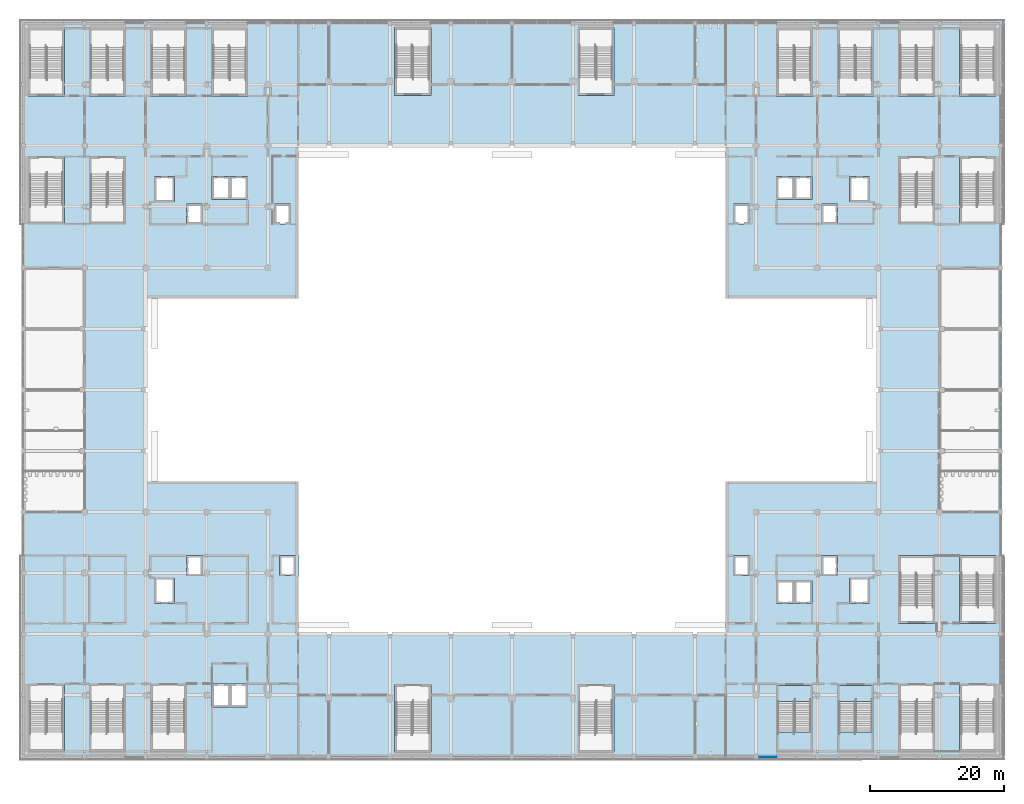
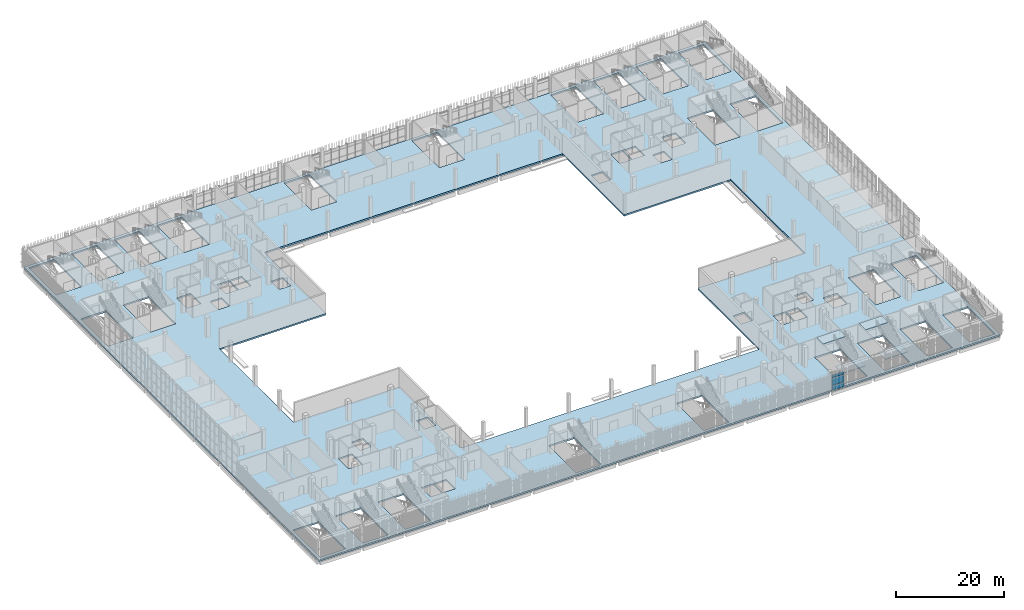
# One storey, part 66 of 126: 5 slabs, 3 plates, 3 elements without a shape of their own.
"""IFC4 building model written with IfcOpenShell, lengths in metres."""

from ifc_helpers import new_model, si_unit, direction, frame, origin, origin_2d, place, context, subcontext, project, spatial, polyline, rectangle, outline, extrude, material, layer, layer_set, type_object, element, aggregate, save


model = new_model("IFC4")

# Units and contexts
model_context = context("Model", 3, precision=1e-05, world=origin(), true_north=direction((0.0, 1.0)))
body_context = subcontext(model_context, "Body", "Model", "MODEL_VIEW")
ifc_project = project(units=[si_unit("LENGTHUNIT", "METRE"), si_unit("AREAUNIT", "SQUARE_METRE"), si_unit("VOLUMEUNIT", "CUBIC_METRE"), si_unit("PLANEANGLEUNIT", "RADIAN"), si_unit("MASSUNIT", "GRAM", prefix="KILO")], contexts=[model_context])

# Site, building, storey
site_placement = place(None, origin())
site = spatial("IfcSite", under=ifc_project, at=site_placement, CompositionType="ELEMENT")
building_placement = place(site_placement, origin())
building = spatial("IfcBuilding", under=site, at=building_placement, Name="Shirokan Park Arena", CompositionType="ELEMENT")
storey_placement = place(building_placement, frame((0.0, 0.0, 6.3701171875)))
storey = spatial("IfcBuildingStorey", under=building, at=storey_placement, Name="L01", CompositionType="ELEMENT", Elevation=6.3701171875)

# Curtain wall, plates
ifc_material_1 = material(Name="Steel and glass curtain wall", Category="steel")
ifc_layer_1 = layer(ifc_material_1, 0.1201171875)
ifc_layer_set_1 = layer_set([ifc_layer_1], Name="Steel and glass curtain wall 120 mm")
curtain_wall_type = type_object("IfcCurtainWallType", Name="Curtain wall corner block side bay 120", PredefinedType="NOTDEFINED", material=ifc_layer_set_1)
curtain_wall_placement = place(storey_placement, origin())
curtain_wall = element("IfcCurtainWall", 1, at=curtain_wall_placement, inside=storey, type_object=curtain_wall_type, Name="Curtain wall south bay 13 L01", PredefinedType="NOTDEFINED")
ifc_material_2 = material(Name="Aluminium sheet", Category="aluminium")
ifc_layer_2 = layer(ifc_material_2, 0.0029296875, Name="Aluminium sheet")
ifc_material_3 = material(Name="Mineral wool insulation")
ifc_layer_3 = layer(ifc_material_3, 0.053955078125, Name="Mineral wool insulation")
ifc_layer_4 = layer(ifc_material_2, 0.0029296875, Name="Aluminium sheet")
ifc_layer_set_2 = layer_set([ifc_layer_2, ifc_layer_3, ifc_layer_4], Name="Aluminium sheet + Mineral wool insulation")
plate_type_1 = type_object("IfcPlateType", Name="Insulated spandrel panel 60", PredefinedType="CURTAIN_PANEL", material=ifc_layer_set_2)
plate_1_placement = place(storey_placement, frame((110.91259765625, -0.090087890625, 2.86962890625), z_axis=(0.0, 0.0, 1.0), x_axis=(1.0, 0.0, 0.0)))
plate_1 = element("IfcPlate", 2, at=plate_1_placement, type_object=plate_type_1, Name="CW3 panel 1.3", PredefinedType="CURTAIN_PANEL", context=body_context, shape_type="SweptSolid", body=[
    extrude(rectangle(XDim=2.574951171875, YDim=0.06005859375, at=origin_2d()), origin(), (0.0, 0.0, 1.0), 0.590087890625),
])
ifc_material_4 = material(Name="Toughened glass", Category="glass")
ifc_layer_5 = layer(ifc_material_4, 0.012939453125, Name="Toughened glass")
ifc_material_5 = material(Name="Interlayer film")
ifc_layer_6 = layer(ifc_material_5, 0.001953125, Name="Interlayer film")
ifc_layer_7 = layer(ifc_material_4, 0.012939453125, Name="Toughened glass")
ifc_layer_set_3 = layer_set([ifc_layer_5, ifc_layer_6, ifc_layer_7], Name="Toughened glass + Interlayer film")
plate_type_2 = type_object("IfcPlateType", Name="Laminated glass panel 28", PredefinedType="CURTAIN_PANEL", material=ifc_layer_set_3)
plate_2_placement = place(storey_placement, frame((110.91259765625, -0.090087890625, 1.119873046875), z_axis=(0.0, 0.0, 1.0), x_axis=(1.0, 0.0, 0.0)))
plate_2 = element("IfcPlate", 3, at=plate_2_placement, type_object=plate_type_2, Name="CW3 panel 1.2", PredefinedType="CURTAIN_PANEL", context=body_context, shape_type="SweptSolid", body=[
    extrude(rectangle(XDim=2.574951171875, YDim=0.028076171875, at=origin_2d()), origin(), (0.0, 0.0, 1.0), 1.7099609375),
])
ifc_layer_8 = layer(ifc_material_4, 0.01708984375, Name="Toughened glass")
ifc_layer_9 = layer(ifc_material_5, 0.001953125, Name="Interlayer film")
ifc_layer_10 = layer(ifc_material_4, 0.01708984375, Name="Toughened glass")
ifc_layer_set_4 = layer_set([ifc_layer_8, ifc_layer_9, ifc_layer_10], Name="Toughened glass + Interlayer film")
plate_type_3 = type_object("IfcPlateType", Name="Laminated safety glass panel 36", PredefinedType="CURTAIN_PANEL", material=ifc_layer_set_4)
plate_3_placement = place(storey_placement, frame((110.91259765625, -0.090087890625, 0.039794921875), z_axis=(0.0, 0.0, 1.0), x_axis=(1.0, 0.0, 0.0)))
plate_3 = element("IfcPlate", 4, at=plate_3_placement, type_object=plate_type_3, Name="CW3 panel 1.1", PredefinedType="CURTAIN_PANEL", context=body_context, shape_type="SweptSolid", body=[
    extrude(rectangle(XDim=2.574951171875, YDim=0.035888671875, at=origin_2d()), origin(), (0.0, 0.0, 1.0), 1.0400390625),
])
aggregate(curtain_wall, [plate_3, plate_2, plate_1])

# Slab
ifc_material_6 = material(Name="Concrete C35", Category="concrete")
ifc_layer_11 = layer(ifc_material_6, 0.35009765625)
ifc_layer_set_5 = layer_set([ifc_layer_11], Name="Concrete C35 350 mm")
slab_type_1 = type_object("IfcSlabType", Name="RC floor slab 350", PredefinedType="FLOOR", material=ifc_layer_set_5)
slab_1_placement = place(storey_placement, frame((0.0, 0.0, -0.35009765625)))
element("IfcSlab", 5, at=slab_1_placement, inside=storey, type_object=slab_type_1, Name="Floor slab L01", PredefinedType="FLOOR", context=body_context, shape_type="SweptSolid", body=[
    extrude(outline(polyline([(0.0, 109.199951171875), (145.60009765625, 109.199951171875), (145.60009765625, 0.0), (0.0, 0.0), (0.0, 109.199951171875)]), holes=[polyline([(104.64990234375, 91.0), (40.949951171875, 91.0), (40.949951171875, 68.25), (18.199951171875, 68.25), (18.199951171875, 40.949951171875), (40.949951171875, 40.949951171875), (40.949951171875, 18.199951171875), (104.64990234375, 18.199951171875), (104.64990234375, 40.949951171875), (127.39990234375, 40.949951171875), (127.39990234375, 68.25), (104.64990234375, 68.25), (104.64990234375, 91.0)]), polyline([(6.10009765625, 0.699951171875), (6.10009765625, 10.800048828125), (0.699951171875, 10.800048828125), (0.699951171875, 0.699951171875), (6.10009765625, 0.699951171875)]), polyline([(15.199951171875, 0.699951171875), (15.199951171875, 10.800048828125), (9.800048828125, 10.800048828125), (9.800048828125, 0.699951171875), (15.199951171875, 0.699951171875)]), polyline([(24.300048828125, 0.699951171875), (24.300048828125, 10.800048828125), (18.89990234375, 10.800048828125), (18.89990234375, 0.699951171875), (24.300048828125, 0.699951171875)]), polyline([(28.10009765625, 7.35009765625), (30.699951171875, 7.35009765625), (30.699951171875, 10.75), (28.10009765625, 10.75), (28.10009765625, 7.35009765625)]), polyline([(19.5, 22.800048828125), (22.5, 22.800048828125), (22.5, 26.60009765625), (19.5, 26.60009765625), (19.5, 22.800048828125)]), polyline([(26.699951171875, 26.89990234375), (26.699951171875, 29.89990234375), (24.300048828125, 29.89990234375), (24.300048828125, 26.89990234375), (26.699951171875, 26.89990234375)]), polyline([(24.300048828125, 79.300048828125), (26.699951171875, 79.300048828125), (26.699951171875, 82.300048828125), (24.300048828125, 82.300048828125), (24.300048828125, 79.300048828125)]), polyline([(0.699951171875, 79.300048828125), (6.10009765625, 79.300048828125), (6.10009765625, 89.39990234375), (0.699951171875, 89.39990234375), (0.699951171875, 79.300048828125)]), polyline([(15.199951171875, 79.300048828125), (15.199951171875, 89.39990234375), (9.800048828125, 89.39990234375), (9.800048828125, 79.300048828125), (15.199951171875, 79.300048828125)]), polyline([(19.5, 82.60009765625), (22.5, 82.60009765625), (22.5, 86.39990234375), (19.5, 86.39990234375), (19.5, 82.60009765625)]), polyline([(28.10009765625, 83.0), (30.699951171875, 83.0), (30.699951171875, 86.39990234375), (28.10009765625, 86.39990234375), (28.10009765625, 83.0)]), polyline([(6.10009765625, 98.39990234375), (6.10009765625, 108.5), (0.699951171875, 108.5), (0.699951171875, 98.39990234375), (6.10009765625, 98.39990234375)]), polyline([(15.199951171875, 98.39990234375), (15.199951171875, 108.5), (9.800048828125, 108.5), (9.800048828125, 98.39990234375), (15.199951171875, 98.39990234375)]), polyline([(24.300048828125, 98.39990234375), (24.300048828125, 108.5), (18.89990234375, 108.5), (18.89990234375, 98.39990234375), (24.300048828125, 98.39990234375)]), polyline([(28.0, 98.39990234375), (33.39990234375, 98.39990234375), (33.39990234375, 108.5), (28.0, 108.5), (28.0, 98.39990234375)]), polyline([(55.300048828125, 0.60009765625), (60.699951171875, 0.60009765625), (60.699951171875, 10.699951171875), (55.300048828125, 10.699951171875), (55.300048828125, 0.60009765625)]), polyline([(88.0, 0.60009765625), (88.0, 10.699951171875), (82.60009765625, 10.699951171875), (82.60009765625, 0.60009765625), (88.0, 0.60009765625)]), polyline([(112.199951171875, 0.699951171875), (117.60009765625, 0.699951171875), (117.60009765625, 10.800048828125), (112.199951171875, 10.800048828125), (112.199951171875, 0.699951171875)]), polyline([(30.800048828125, 7.35009765625), (33.39990234375, 7.35009765625), (33.39990234375, 10.75), (30.800048828125, 10.75), (30.800048828125, 7.35009765625)]), polyline([(114.800048828125, 22.800048828125), (114.800048828125, 26.199951171875), (112.199951171875, 26.199951171875), (112.199951171875, 22.800048828125), (114.800048828125, 22.800048828125)]), polyline([(114.89990234375, 22.800048828125), (117.5, 22.800048828125), (117.5, 26.199951171875), (114.89990234375, 26.199951171875), (114.89990234375, 22.800048828125)]), polyline([(38.14990234375, 26.89990234375), (40.550048828125, 26.89990234375), (40.550048828125, 29.89990234375), (38.14990234375, 29.89990234375), (38.14990234375, 26.89990234375)]), polyline([(108.199951171875, 26.89990234375), (108.199951171875, 29.89990234375), (105.800048828125, 29.89990234375), (105.800048828125, 26.89990234375), (108.199951171875, 26.89990234375)]), polyline([(39.800048828125, 79.300048828125), (39.800048828125, 82.300048828125), (37.39990234375, 82.300048828125), (37.39990234375, 79.300048828125), (39.800048828125, 79.300048828125)]), polyline([(108.199951171875, 79.300048828125), (108.199951171875, 82.300048828125), (105.800048828125, 82.300048828125), (105.800048828125, 79.300048828125), (108.199951171875, 79.300048828125)]), polyline([(30.800048828125, 83.0), (33.39990234375, 83.0), (33.39990234375, 86.39990234375), (30.800048828125, 86.39990234375), (30.800048828125, 83.0)]), polyline([(112.199951171875, 83.0), (114.800048828125, 83.0), (114.800048828125, 86.39990234375), (112.199951171875, 86.39990234375), (112.199951171875, 83.0)]), polyline([(117.60009765625, 98.39990234375), (117.60009765625, 108.5), (112.199951171875, 108.5), (112.199951171875, 98.39990234375), (117.60009765625, 98.39990234375)]), polyline([(55.300048828125, 98.5), (60.699951171875, 98.5), (60.699951171875, 108.60009765625), (55.300048828125, 108.60009765625), (55.300048828125, 98.5)]), polyline([(82.60009765625, 98.5), (88.0, 98.5), (88.0, 108.60009765625), (82.60009765625, 108.60009765625), (82.60009765625, 98.5)]), polyline([(126.699951171875, 0.699951171875), (126.699951171875, 10.800048828125), (121.300048828125, 10.800048828125), (121.300048828125, 0.699951171875), (126.699951171875, 0.699951171875)]), polyline([(130.39990234375, 0.699951171875), (135.800048828125, 0.699951171875), (135.800048828125, 10.800048828125), (130.39990234375, 10.800048828125), (130.39990234375, 0.699951171875)]), polyline([(139.5, 0.699951171875), (144.89990234375, 0.699951171875), (144.89990234375, 10.800048828125), (139.5, 10.800048828125), (139.5, 0.699951171875)]), polyline([(126.10009765625, 22.800048828125), (126.10009765625, 26.60009765625), (123.10009765625, 26.60009765625), (123.10009765625, 22.800048828125), (126.10009765625, 22.800048828125)]), polyline([(130.39990234375, 19.800048828125), (135.800048828125, 19.800048828125), (135.800048828125, 29.89990234375), (130.39990234375, 29.89990234375), (130.39990234375, 19.800048828125)]), polyline([(139.5, 19.800048828125), (144.89990234375, 19.800048828125), (144.89990234375, 29.89990234375), (139.5, 29.89990234375), (139.5, 19.800048828125)]), polyline([(121.300048828125, 26.89990234375), (121.300048828125, 29.89990234375), (118.89990234375, 29.89990234375), (118.89990234375, 26.89990234375), (121.300048828125, 26.89990234375)]), polyline([(118.89990234375, 79.300048828125), (121.300048828125, 79.300048828125), (121.300048828125, 82.300048828125), (118.89990234375, 82.300048828125), (118.89990234375, 79.300048828125)]), polyline([(130.39990234375, 79.300048828125), (135.800048828125, 79.300048828125), (135.800048828125, 89.39990234375), (130.39990234375, 89.39990234375), (130.39990234375, 79.300048828125)]), polyline([(144.89990234375, 79.300048828125), (144.89990234375, 89.39990234375), (139.5, 89.39990234375), (139.5, 79.300048828125), (144.89990234375, 79.300048828125)]), polyline([(123.10009765625, 82.60009765625), (126.10009765625, 82.60009765625), (126.10009765625, 86.39990234375), (123.10009765625, 86.39990234375), (123.10009765625, 82.60009765625)]), polyline([(114.89990234375, 83.0), (117.5, 83.0), (117.5, 86.39990234375), (114.89990234375, 86.39990234375), (114.89990234375, 83.0)]), polyline([(126.699951171875, 98.39990234375), (126.699951171875, 108.5), (121.300048828125, 108.5), (121.300048828125, 98.39990234375), (126.699951171875, 98.39990234375)]), polyline([(130.39990234375, 98.39990234375), (135.800048828125, 98.39990234375), (135.800048828125, 108.5), (130.39990234375, 108.5), (130.39990234375, 98.39990234375)]), polyline([(139.5, 98.39990234375), (144.89990234375, 98.39990234375), (144.89990234375, 108.5), (139.5, 108.5), (139.5, 98.39990234375)])]), origin(), (0.0, 0.0, 1.0), 0.35009765625),
])

# Stair, slabs
ifc_material_7 = material(Name="Concrete C30 precast", Category="concrete")
stair_type = type_object("IfcStairType", Name="Stair 30 risers 152 x 327 2400 wide", PredefinedType="TWO_STRAIGHT_RUN_STAIR", material=ifc_material_7)
stair_1_placement = place(storey_placement, origin())
stair_1 = element("IfcStair", 6, at=stair_1_placement, inside=storey, type_object=stair_type, Name="Exit Stair 2.C L01 to L02", PredefinedType="TWO_STRAIGHT_RUN_STAIR")
ifc_layer_12 = layer(ifc_material_7, 0.199951171875)
ifc_layer_set_6 = layer_set([ifc_layer_12], Name="Concrete C30 precast 200 mm")
slab_type_2 = type_object("IfcSlabType", Name="Stair landing 200", PredefinedType="LANDING", material=ifc_layer_set_6)
slab_2_placement = place(storey_placement, frame((0.0, 0.0, 2.074951171875)))
slab_2 = element("IfcSlab", 7, at=slab_2_placement, type_object=slab_type_2, Name="ST06.2 landing 1", PredefinedType="LANDING", context=body_context, shape_type="SweptSolid", body=[
    extrude(outline(polyline([(121.550048828125, 0.949951171875), (126.449951171875, 0.949951171875), (126.449951171875, 3.576171875), (121.550048828125, 3.576171875), (121.550048828125, 0.949951171875)])), origin(), (0.0, 0.0, 1.0), 0.199951171875),
])
slab_3_placement = place(storey_placement, frame((0.0, 0.0, 4.349853515625)))
slab_3 = element("IfcSlab", 8, at=slab_3_placement, type_object=slab_type_2, Name="ST06.2 landing 2", PredefinedType="LANDING", context=body_context, shape_type="SweptSolid", body=[
    extrude(outline(polyline([(121.550048828125, 8.14990234375), (126.449951171875, 8.14990234375), (126.449951171875, 10.550048828125), (121.550048828125, 10.550048828125), (121.550048828125, 8.14990234375)])), origin(), (0.0, 0.0, 1.0), 0.199951171875),
])
aggregate(stair_1, [slab_2, slab_3])

stair_2_placement = place(storey_placement, origin())
stair_2 = element("IfcStair", 9, at=stair_2_placement, inside=storey, type_object=stair_type, Name="Exit Stair 2.D L01 to L02", PredefinedType="TWO_STRAIGHT_RUN_STAIR")
slab_4_placement = place(storey_placement, frame((0.0, 0.0, 2.074951171875)))
slab_4 = element("IfcSlab", 10, at=slab_4_placement, type_object=slab_type_2, Name="ST07.2 landing 1", PredefinedType="LANDING", context=body_context, shape_type="SweptSolid", body=[
    extrude(outline(polyline([(112.449951171875, 0.949951171875), (117.35009765625, 0.949951171875), (117.35009765625, 3.576171875), (112.449951171875, 3.576171875), (112.449951171875, 0.949951171875)])), origin(), (0.0, 0.0, 1.0), 0.199951171875),
])
slab_5_placement = place(storey_placement, frame((0.0, 0.0, 4.349853515625)))
slab_5 = element("IfcSlab", 11, at=slab_5_placement, type_object=slab_type_2, Name="ST07.2 landing 2", PredefinedType="LANDING", context=body_context, shape_type="SweptSolid", body=[
    extrude(outline(polyline([(112.449951171875, 8.14990234375), (117.35009765625, 8.14990234375), (117.35009765625, 10.550048828125), (112.449951171875, 10.550048828125), (112.449951171875, 8.14990234375)])), origin(), (0.0, 0.0, 1.0), 0.199951171875),
])
aggregate(stair_2, [slab_4, slab_5])

save(model, "model.ifc")
